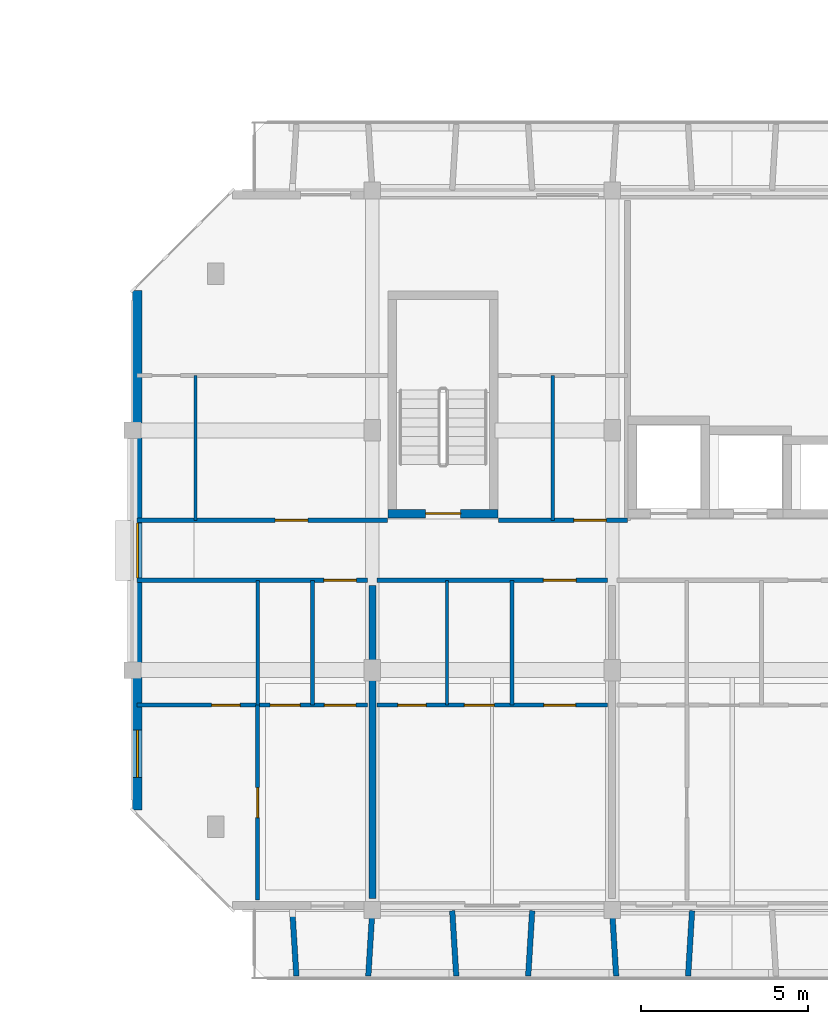
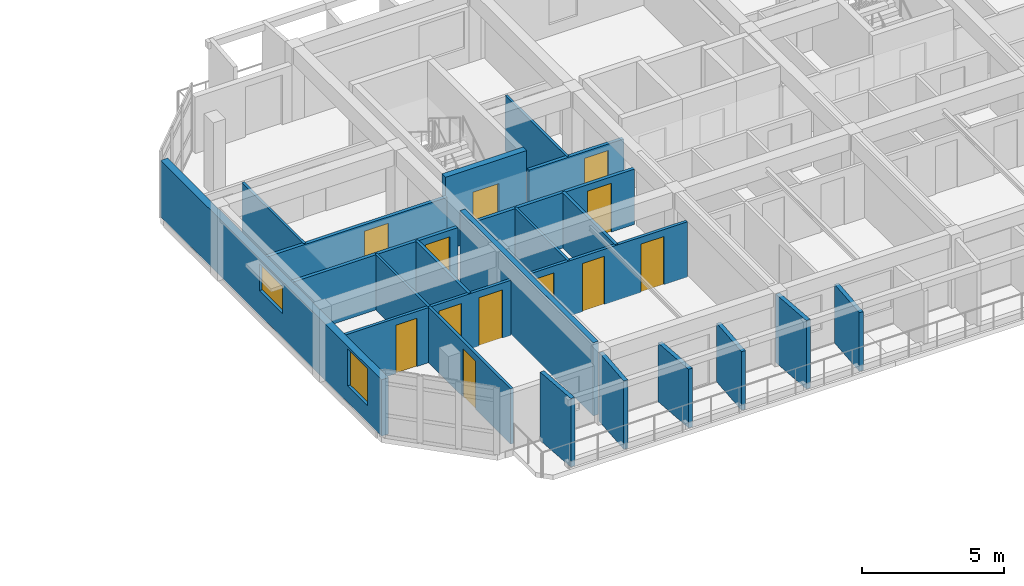
# One storey, part 22 of 40: 22 walls, 12 doors, 2 windows, 14 openings.
"""IFC4 building model written with IfcOpenShell, lengths in metres."""

from ifc_helpers import new_model, si_unit, direction, frame, frame_2d, origin, place, context, subcontext, project, spatial, rectangle, extrude, material, layer, layer_set, type_object, element, fill, save


model = new_model("IFC4")

# Units and contexts
model_context = context("Model", 3, precision=1e-05, world=origin(), true_north=direction((0.0, 1.0)))
body_context = subcontext(model_context, "Body", "Model", "MODEL_VIEW")
ifc_project = project(units=[si_unit("LENGTHUNIT", "METRE"), si_unit("AREAUNIT", "SQUARE_METRE"), si_unit("VOLUMEUNIT", "CUBIC_METRE"), si_unit("PLANEANGLEUNIT", "RADIAN"), si_unit("MASSUNIT", "GRAM", prefix="KILO")], contexts=[model_context])

# Site, building, storey
site_placement = place(None, origin())
site = spatial("IfcSite", under=ifc_project, at=site_placement, CompositionType="ELEMENT")
building_placement = place(site_placement, origin())
building = spatial("IfcBuilding", under=site, at=building_placement, Name="Ochrevale Crest", CompositionType="ELEMENT")
storey_placement = place(building_placement, frame((0.0, 0.0, 27.60009765625)))
storey = spatial("IfcBuildingStorey", under=building, at=storey_placement, Name="L08", CompositionType="ELEMENT", Elevation=27.60009765625)

# Wall, opening, door
ifc_material_1 = material(Name="Gypsum plasterboard", Category="gypsum")
ifc_layer_1 = layer(ifc_material_1, 0.139892578125)
ifc_layer_set_1 = layer_set([ifc_layer_1], Name="Gypsum plasterboard")
wall_type_1 = type_object("IfcWallType", Name="WL-COR-140", PredefinedType="PARTITIONING", material=ifc_layer_set_1)
wall_1_placement = place(storey_placement, frame((129.739990234375, 24.300048828125, 0.0), z_axis=(0.0, 0.0, 1.0), x_axis=(1.0, 0.0, 0.0)))
wall_1 = element("IfcWall", 1, at=wall_1_placement, inside=storey, type_object=wall_type_1, Name="Apartment C-L08-U1 corridor wall", PredefinedType="PARTITIONING", context=body_context, shape_type="SweptSolid", body=[
    extrude(rectangle(XDim=6.919921875, YDim=0.139892578125, at=frame_2d((3.4599609375, 0.0))), origin(), (0.0, 0.0, 1.0), 2.3798828125),
])
opening_1_placement = place(wall_1_placement, frame((5.60498046875, 0.0, 0.0)))
opening_1 = element("IfcOpeningElement", 2, at=opening_1_placement, cuts=wall_1, Name="Opening FD01", PredefinedType="OPENING", context=body_context, shape_type="SweptSolid", body=[
    extrude(rectangle(XDim=0.97998046875, YDim=2.10009765625, at=frame_2d((0.489990234375, 1.050048828125))), frame((0.0, 0.080078125, 0.0), z_axis=(0.0, -1.0, 0.0), x_axis=(1.0, 0.0, 0.0)), (0.0, 0.0, 1.0), 0.159912109375),
])
ifc_material_2 = material(Name="Solid-core FSC hardwood", Category="wood")
door_type_1 = type_object("IfcDoorType", Name="DR-APT-950", OperationType="NOTDEFINED", PredefinedType="DOOR", material=ifc_material_2)
door_1_placement = place(opening_1_placement, origin())
door_1 = element("IfcDoor", 3, at=door_1_placement, inside=storey, type_object=door_type_1, Name="Apartment C-L08-U1 entrance door", OperationType="SINGLE_SWING_LEFT", OverallHeight=2.10009765625, OverallWidth=0.97998046875, PredefinedType="DOOR", context=body_context, shape_type="SweptSolid", body=[
    extrude(rectangle(XDim=0.97998046875, YDim=2.10009765625, at=frame_2d((0.489990234375, 1.050048828125))), frame((0.0, 0.02490234375, 0.0), z_axis=(0.0, -1.0, 0.0), x_axis=(1.0, 0.0, 0.0)), (0.0, 0.0, 1.0), 0.050048828125),
])
fill(opening_1, door_1)

wall_2_placement = place(storey_placement, frame((136.93994140625, 24.300048828125, 0.0), z_axis=(0.0, 0.0, 1.0), x_axis=(1.0, 0.0, 0.0)))
wall_2 = element("IfcWall", 4, at=wall_2_placement, inside=storey, type_object=wall_type_1, Name="Apartment C-L08-U2 corridor wall", PredefinedType="PARTITIONING", context=body_context, shape_type="SweptSolid", body=[
    extrude(rectangle(XDim=6.920166015625, YDim=0.139892578125, at=frame_2d((3.4599609375, 0.0))), origin(), (0.0, 0.0, 1.0), 2.3798828125),
])
opening_2_placement = place(wall_2_placement, frame((5.97509765625, 0.0, 0.0), z_axis=(0.0, 0.0, 1.0), x_axis=(-1.0, 0.0, 0.0)))
opening_2 = element("IfcOpeningElement", 5, at=opening_2_placement, cuts=wall_2, Name="Opening FD01", PredefinedType="OPENING", context=body_context, shape_type="SweptSolid", body=[
    extrude(rectangle(XDim=0.97998046875, YDim=2.10009765625, at=frame_2d((0.489990234375, 1.050048828125))), frame((0.0, 0.080078125, 0.0), z_axis=(0.0, -1.0, 0.0), x_axis=(1.0, 0.0, 0.0)), (0.0, 0.0, 1.0), 0.159912109375),
])
door_2_placement = place(opening_2_placement, origin())
door_2 = element("IfcDoor", 6, at=door_2_placement, inside=storey, type_object=door_type_1, Name="Apartment C-L08-U2 entrance door", OperationType="SINGLE_SWING_RIGHT", OverallHeight=2.10009765625, OverallWidth=0.97998046875, PredefinedType="DOOR", context=body_context, shape_type="SweptSolid", body=[
    extrude(rectangle(XDim=0.97998046875, YDim=2.10009765625, at=frame_2d((0.489990234375, 1.050048828125))), frame((0.0, 0.02490234375, 0.0), z_axis=(0.0, -1.0, 0.0), x_axis=(1.0, 0.0, 0.0)), (0.0, 0.0, 1.0), 0.050048828125),
])
fill(opening_2, door_2)

wall_3_placement = place(storey_placement, frame((129.739990234375, 26.10009765625, 0.0), z_axis=(0.0, 0.0, 1.0), x_axis=(1.0, 0.0, 0.0)))
wall_3 = element("IfcWall", 7, at=wall_3_placement, inside=storey, type_object=wall_type_1, Name="Suite C-L08-CW corridor wall", PredefinedType="PARTITIONING", context=body_context, shape_type="SweptSolid", body=[
    extrude(rectangle(XDim=7.52001953125, YDim=0.139892578125, at=frame_2d((3.760009765625, 0.0))), origin(), (0.0, 0.0, 1.0), 2.3798828125),
])
opening_3_placement = place(wall_3_placement, frame((4.14501953125, 0.0, 0.0)))
opening_3 = element("IfcOpeningElement", 8, at=opening_3_placement, cuts=wall_3, Name="Opening FD01", PredefinedType="OPENING", context=body_context, shape_type="SweptSolid", body=[
    extrude(rectangle(XDim=0.97998046875, YDim=2.10009765625, at=frame_2d((0.489990234375, 1.050048828125))), frame((0.0, 0.080078125, 0.0), z_axis=(0.0, -1.0, 0.0), x_axis=(1.0, 0.0, 0.0)), (0.0, 0.0, 1.0), 0.159912109375),
])
door_3_placement = place(opening_3_placement, origin())
door_3 = element("IfcDoor", 9, at=door_3_placement, inside=storey, type_object=door_type_1, Name="Suite C-L08-CW entrance door", OperationType="SINGLE_SWING_LEFT", OverallHeight=2.10009765625, OverallWidth=0.97998046875, PredefinedType="DOOR", context=body_context, shape_type="SweptSolid", body=[
    extrude(rectangle(XDim=0.97998046875, YDim=2.10009765625, at=frame_2d((0.489990234375, 1.050048828125))), frame((0.0, 0.02490234375, 0.0), z_axis=(0.0, -1.0, 0.0), x_axis=(1.0, 0.0, 0.0)), (0.0, 0.0, 1.0), 0.050048828125),
])
fill(opening_3, door_3)

wall_4_placement = place(storey_placement, frame((140.590087890625, 26.10009765625, 0.0), z_axis=(0.0, 0.0, 1.0), x_axis=(1.0, 0.0, 0.0)))
wall_4 = element("IfcWall", 10, at=wall_4_placement, inside=storey, type_object=wall_type_1, Name="Suite C-L08-MW corridor wall", PredefinedType="PARTITIONING", context=body_context, shape_type="SweptSolid", body=[
    extrude(rectangle(XDim=3.869873046875, YDim=0.139892578125, at=frame_2d((1.93505859375, 0.0))), origin(), (0.0, 0.0, 1.0), 2.3798828125),
])
opening_4_placement = place(wall_4_placement, frame((3.23779296875, 0.0, 0.0), z_axis=(0.0, 0.0, 1.0), x_axis=(-1.0, 0.0, 0.0)))
opening_4 = element("IfcOpeningElement", 11, at=opening_4_placement, cuts=wall_4, Name="Opening FD01", PredefinedType="OPENING", context=body_context, shape_type="SweptSolid", body=[
    extrude(rectangle(XDim=0.97998046875, YDim=2.10009765625, at=frame_2d((0.489990234375, 1.050048828125))), frame((0.0, 0.080078125, 0.0), z_axis=(0.0, -1.0, 0.0), x_axis=(1.0, 0.0, 0.0)), (0.0, 0.0, 1.0), 0.159912109375),
])
door_4_placement = place(opening_4_placement, origin())
door_4 = element("IfcDoor", 12, at=door_4_placement, inside=storey, type_object=door_type_1, Name="Suite C-L08-MW entrance door", OperationType="SINGLE_SWING_RIGHT", OverallHeight=2.10009765625, OverallWidth=0.97998046875, PredefinedType="DOOR", context=body_context, shape_type="SweptSolid", body=[
    extrude(rectangle(XDim=0.97998046875, YDim=2.10009765625, at=frame_2d((0.489990234375, 1.050048828125))), frame((0.0, 0.02490234375, 0.0), z_axis=(0.0, -1.0, 0.0), x_axis=(1.0, 0.0, 0.0)), (0.0, 0.0, 1.0), 0.050048828125),
])
fill(opening_4, door_4)

ifc_material_3 = material(Name="Precast concrete C50/60", Category="concrete")
ifc_layer_2 = layer(ifc_material_3, 0.2548828125)
ifc_layer_set_2 = layer_set([ifc_layer_2], Name="Precast concrete C50/60")
wall_type_2 = type_object("IfcWallType", Name="WL-CORE-255", PredefinedType="SHEAR", material=ifc_layer_set_2)
wall_5_placement = place(storey_placement, frame((137.2724609375, 26.300048828125, 0.0), z_axis=(0.0, 0.0, 1.0), x_axis=(1.0, 0.0, 0.0)))
wall_5 = element("IfcWall", 13, at=wall_5_placement, inside=storey, type_object=wall_type_2, Name="Block C L08 Stair 1 precast core shear wall S", PredefinedType="SHEAR", context=body_context, shape_type="SweptSolid", body=[
    extrude(rectangle(XDim=3.304931640625, YDim=0.2548828125, at=frame_2d((1.65234375, 0.0))), origin(), (0.0, 0.0, 1.0), 3.14990234375),
])
opening_5_placement = place(wall_5_placement, frame((2.177490234375, 0.0, 0.0), z_axis=(0.0, 0.0, 1.0), x_axis=(-1.0, 0.0, 0.0)))
opening_5 = element("IfcOpeningElement", 14, at=opening_5_placement, cuts=wall_5, Name="Opening FD03", PredefinedType="OPENING", context=body_context, shape_type="SweptSolid", body=[
    extrude(rectangle(XDim=1.050048828125, YDim=2.1201171875, at=frame_2d((0.52490234375, 1.06005859375))), frame((0.0, 0.137451171875, 0.0), z_axis=(0.0, -1.0, 0.0), x_axis=(1.0, 0.0, 0.0)), (0.0, 0.0, 1.0), 0.27490234375),
])
door_type_2 = type_object("IfcDoorType", Name="DR-ST-1050", OperationType="NOTDEFINED", PredefinedType="DOOR", material=ifc_material_2)
door_5_placement = place(opening_5_placement, origin())
door_5 = element("IfcDoor", 15, at=door_5_placement, inside=storey, type_object=door_type_2, Name="Block C L08 fire stair 1 door", OperationType="SINGLE_SWING_RIGHT", OverallHeight=2.1201171875, OverallWidth=1.050048828125, PredefinedType="DOOR", context=body_context, shape_type="SweptSolid", body=[
    extrude(rectangle(XDim=1.050048828125, YDim=2.1201171875, at=frame_2d((0.52490234375, 1.06005859375))), frame((0.0, 0.02490234375, 0.0), z_axis=(0.0, -1.0, 0.0), x_axis=(1.0, 0.0, 0.0)), (0.0, 0.0, 1.0), 0.050048828125),
])
fill(opening_5, door_5)

# Wall, openings, windows
ifc_material_4 = material(Name="Clay face brickwork", Category="masonry")
ifc_layer_3 = layer(ifc_material_4, 0.2900390625)
ifc_layer_set_3 = layer_set([ifc_layer_3], Name="Clay face brickwork")
wall_type_3 = type_object("IfcWallType", Name="WL-EXT-BRICK-290", PredefinedType="SOLIDWALL", material=ifc_layer_set_3)
wall_6_placement = place(storey_placement, frame((129.7451171875, 33.0, 0.0), z_axis=(0.0, 0.0, 1.0), x_axis=(0.0, -1.0, 0.0)))
wall_6 = element("IfcWall", 16, at=wall_6_placement, inside=storey, type_object=wall_type_3, Name="Block C L08 external facade wall E7", PredefinedType="SOLIDWALL", context=body_context, shape_type="SweptSolid", body=[
    extrude(rectangle(XDim=15.60009765625, YDim=0.2900390625, at=frame_2d((7.800048828125, 0.0))), origin(), (0.0, 0.0, 1.0), 2.429931640625),
])
opening_6_placement = place(wall_6_placement, frame((6.97509765625, 0.0, 1.050048828125)))
opening_6 = element("IfcOpeningElement", 17, at=opening_6_placement, cuts=wall_6, Name="Opening W19", PredefinedType="OPENING", context=body_context, shape_type="SweptSolid", body=[
    extrude(rectangle(XDim=1.64990234375, YDim=1.14990234375, at=frame_2d((0.824951171875, 0.574951171875))), frame((0.0, 0.155029296875, 0.0), z_axis=(0.0, -1.0, 0.0), x_axis=(1.0, 0.0, 0.0)), (0.0, 0.0, 1.0), 0.31005859375),
])
opening_7_placement = place(wall_6_placement, frame((13.199951171875, 0.0, 0.719970703125)))
opening_7 = element("IfcOpeningElement", 18, at=opening_7_placement, cuts=wall_6, Name="Opening W31", PredefinedType="OPENING", context=body_context, shape_type="SweptSolid", body=[
    extrude(rectangle(XDim=1.419921875, YDim=1.60009765625, at=frame_2d((0.7099609375, 0.800048828125))), frame((0.0, 0.155029296875, 0.0), z_axis=(0.0, -1.0, 0.0), x_axis=(1.0, 0.0, 0.0)), (0.0, 0.0, 1.0), 0.31005859375),
])
ifc_material_5 = material(Name="Anodised aluminium 6063-T5 and low-E double glazing", Category="aluminium")
window_type_1 = type_object("IfcWindowType", Name="WIN-W19", PartitioningType="SINGLE_PANEL", PredefinedType="WINDOW", material=ifc_material_5)
window_1_placement = place(opening_6_placement, origin())
window_1 = element("IfcWindow", 19, at=window_1_placement, inside=storey, type_object=window_type_1, Name="Block C L08 corridor end daylight window W", OverallHeight=1.14990234375, OverallWidth=1.64990234375, PartitioningType="SINGLE_PANEL", PredefinedType="WINDOW", context=body_context, shape_type="SweptSolid", body=[
    extrude(rectangle(XDim=1.64990234375, YDim=1.14990234375, at=frame_2d((0.824951171875, 0.574951171875))), frame((0.0, 0.030029296875, 0.0), z_axis=(0.0, -1.0, 0.0), x_axis=(1.0, 0.0, 0.0)), (0.0, 0.0, 1.0), 0.06005859375),
])
fill(opening_6, window_1)
window_type_2 = type_object("IfcWindowType", Name="WIN-W31", PartitioningType="SINGLE_PANEL", PredefinedType="WINDOW", material=ifc_material_5)
window_2_placement = place(opening_7_placement, origin())
window_2 = element("IfcWindow", 20, at=window_2_placement, inside=storey, type_object=window_type_2, Name="Block C L08 side suite window W", OverallHeight=1.60009765625, OverallWidth=1.419921875, PartitioningType="SINGLE_PANEL", PredefinedType="WINDOW", context=body_context, shape_type="SweptSolid", body=[
    extrude(rectangle(XDim=1.419921875, YDim=1.60009765625, at=frame_2d((0.7099609375, 0.800048828125))), frame((0.0, 0.030029296875, 0.0), z_axis=(0.0, -1.0, 0.0), x_axis=(1.0, 0.0, 0.0)), (0.0, 0.0, 1.0), 0.06005859375),
])
fill(opening_7, window_2)

# Walls
ifc_material_6 = material(Name="Precast concrete C40/50", Category="concrete")
ifc_layer_4 = layer(ifc_material_6, 0.1650390625)
ifc_layer_set_4 = layer_set([ifc_layer_4], Name="Precast concrete C40/50")
wall_type_4 = type_object("IfcWallType", Name="WL-HC-CHEEK-165", PredefinedType="ELEMENTEDWALL", material=ifc_layer_set_4)
for number, where, z_axis, x_axis, name in (
    (21, (134.39990234375, 14.3798828125, 0.0), (0.0, 0.0, 1.0), (0.061170732449, -0.998127317276, 0.0), "Block C L08 S precast honeycomb cheek 1"),
    (22, (136.800048828125, 14.3798828125, 0.0), (0.0, 0.0, 1.0), (-0.061170732449, -0.998127317276, 0.0), "Block C L08 S precast honeycomb cheek 2"),
):
    element("IfcWall", number, at=place(storey_placement, frame(where, z_axis=z_axis, x_axis=x_axis)), inside=storey, type_object=wall_type_4, Name=name, PredefinedType="ELEMENTEDWALL", context=body_context, shape_type="SweptSolid", body=[
        extrude(rectangle(XDim=1.963623046875, YDim=0.1650390625, at=frame_2d((0.98193359375, 0.0))), origin(), (0.0, 0.0, 1.0), 2.949951171875),
    ])
for number, where, z_axis, x_axis, name in (
    (23, (139.199951171875, 14.3798828125, 0.0), (0.0, 0.0, 1.0), (0.061170732449, -0.998127317276, 0.0), "Block C L08 S precast honeycomb cheek 3"),
    (24, (141.60009765625, 14.3798828125, 0.0), (0.0, 0.0, 1.0), (-0.061170732449, -0.998127317276, 0.0), "Block C L08 S precast honeycomb cheek 4"),
):
    element("IfcWall", number, at=place(storey_placement, frame(where, z_axis=z_axis, x_axis=x_axis)), inside=storey, type_object=wall_type_4, Name=name, PredefinedType="ELEMENTEDWALL", context=body_context, shape_type="SweptSolid", body=[
        extrude(rectangle(XDim=1.963623046875, YDim=0.1650390625, at=frame_2d((0.98193359375, 0.0))), origin(), (0.0, 0.0, 1.0), 2.52978515625),
    ])
wall_7_placement = place(storey_placement, frame((144.0, 14.3798828125, 0.0), z_axis=(0.0, 0.0, 1.0), x_axis=(0.061170732449, -0.998127317276, 0.0)))
element("IfcWall", 25, at=wall_7_placement, inside=storey, type_object=wall_type_4, Name="Block C L08 S precast honeycomb cheek 5", PredefinedType="ELEMENTEDWALL", context=body_context, shape_type="SweptSolid", body=[
    extrude(rectangle(XDim=1.963623046875, YDim=0.1650390625, at=frame_2d((0.98193359375, 0.0))), origin(), (0.0, 0.0, 1.0), 2.949951171875),
])
wall_8_placement = place(storey_placement, frame((146.39990234375, 14.3798828125, 0.0), z_axis=(0.0, 0.0, 1.0), x_axis=(-0.061046865508, -0.998134900808, 0.0)))
element("IfcWall", 26, at=wall_8_placement, inside=storey, type_object=wall_type_4, Name="Block C L08 S precast honeycomb cheek 6", PredefinedType="ELEMENTEDWALL", context=body_context, shape_type="SweptSolid", body=[
    extrude(rectangle(XDim=1.963623046875, YDim=0.1650390625, at=frame_2d((0.98193359375, 0.0))), origin(), (0.0, 0.0, 1.0), 2.52978515625),
])
ifc_layer_5 = layer(ifc_material_1, 0.1201171875)
ifc_layer_set_5 = layer_set([ifc_layer_5], Name="Gypsum plasterboard")
wall_type_5 = type_object("IfcWallType", Name="WL-PART-120", PredefinedType="PARTITIONING", material=ifc_layer_set_5)
wall_9_placement = place(storey_placement, frame((135.010009765625, 20.550048828125, 0.0), z_axis=(0.0, 0.0, 1.0), x_axis=(0.0, 1.0, 0.0)))
element("IfcWall", 27, at=wall_9_placement, inside=storey, type_object=wall_type_5, Name="Apartment C-L08-U1 kitchen-foyer wall", PredefinedType="PARTITIONING", context=body_context, shape_type="SweptSolid", body=[
    extrude(rectangle(XDim=3.75, YDim=0.1201171875, at=frame_2d((1.875, 0.0))), origin(), (0.0, 0.0, 1.0), 2.3798828125),
])

# Wall, openings, doors
wall_10_placement = place(storey_placement, frame((129.739990234375, 20.550048828125, 0.0), z_axis=(0.0, 0.0, 1.0), x_axis=(1.0, 0.0, 0.0)))
wall_10 = element("IfcWall", 28, at=wall_10_placement, inside=storey, type_object=wall_type_5, Name="Apartment C-L08-U1 central partition", PredefinedType="PARTITIONING", context=body_context, shape_type="SweptSolid", body=[
    extrude(rectangle(XDim=6.919921875, YDim=0.1201171875, at=frame_2d((3.4599609375, 0.0))), origin(), (0.0, 0.0, 1.0), 2.3798828125),
])
opening_8_placement = place(wall_10_placement, frame((3.090087890625, 0.0, 0.0), z_axis=(0.0, 0.0, 1.0), x_axis=(-1.0, 0.0, 0.0)))
opening_8 = element("IfcOpeningElement", 29, at=opening_8_placement, cuts=wall_10, Name="Opening ID01", PredefinedType="OPENING", context=body_context, shape_type="SweptSolid", body=[
    extrude(rectangle(XDim=0.85009765625, YDim=2.080078125, at=frame_2d((0.425048828125, 1.0400390625))), frame((0.0, 0.070068359375, 0.0), z_axis=(0.0, -1.0, 0.0), x_axis=(1.0, 0.0, 0.0)), (0.0, 0.0, 1.0), 0.14013671875),
])
opening_9_placement = place(wall_10_placement, frame((3.9951171875, 0.0, 0.0)))
opening_9 = element("IfcOpeningElement", 30, at=opening_9_placement, cuts=wall_10, Name="Opening ID02", PredefinedType="OPENING", context=body_context, shape_type="SweptSolid", body=[
    extrude(rectangle(XDim=0.89990234375, YDim=2.080078125, at=frame_2d((0.449951171875, 1.0400390625))), frame((0.0, 0.070068359375, 0.0), z_axis=(0.0, -1.0, 0.0), x_axis=(1.0, 0.0, 0.0)), (0.0, 0.0, 1.0), 0.14013671875),
])
opening_10_placement = place(wall_10_placement, frame((6.570068359375, 0.0, 0.0), z_axis=(0.0, 0.0, 1.0), x_axis=(-1.0, 0.0, 0.0)))
opening_10 = element("IfcOpeningElement", 31, at=opening_10_placement, cuts=wall_10, Name="Opening ID06", PredefinedType="OPENING", context=body_context, shape_type="SweptSolid", body=[
    extrude(rectangle(XDim=0.949951171875, YDim=2.080078125, at=frame_2d((0.47509765625, 1.0400390625))), frame((0.0, 0.070068359375, 0.0), z_axis=(0.0, -1.0, 0.0), x_axis=(1.0, 0.0, 0.0)), (0.0, 0.0, 1.0), 0.14013671875),
])
door_type_3 = type_object("IfcDoorType", Name="DR-INT-900", OperationType="NOTDEFINED", PredefinedType="DOOR", material=ifc_material_2)
door_6_placement = place(opening_9_placement, origin())
door_6 = element("IfcDoor", 32, at=door_6_placement, inside=storey, type_object=door_type_3, Name="Apartment C-L08-U1 Kitchen door", OperationType="SINGLE_SWING_LEFT", OverallHeight=2.080078125, OverallWidth=0.89990234375, PredefinedType="DOOR", context=body_context, shape_type="SweptSolid", body=[
    extrude(rectangle(XDim=0.89990234375, YDim=2.080078125, at=frame_2d((0.449951171875, 1.0400390625))), frame((0.0, 0.02490234375, 0.0), z_axis=(0.0, -1.0, 0.0), x_axis=(1.0, 0.0, 0.0)), (0.0, 0.0, 1.0), 0.050048828125),
])
fill(opening_9, door_6)
door_type_4 = type_object("IfcDoorType", Name="DR-INT-950", OperationType="NOTDEFINED", PredefinedType="DOOR", material=ifc_material_2)
door_7_placement = place(opening_10_placement, origin())
door_7 = element("IfcDoor", 33, at=door_7_placement, inside=storey, type_object=door_type_4, Name="Apartment C-L08-U1 Living Foyer door", OperationType="SINGLE_SWING_RIGHT", OverallHeight=2.080078125, OverallWidth=0.949951171875, PredefinedType="DOOR", context=body_context, shape_type="SweptSolid", body=[
    extrude(rectangle(XDim=0.949951171875, YDim=2.080078125, at=frame_2d((0.47509765625, 1.0400390625))), frame((0.0, 0.02490234375, 0.0), z_axis=(0.0, -1.0, 0.0), x_axis=(1.0, 0.0, 0.0)), (0.0, 0.0, 1.0), 0.050048828125),
])
fill(opening_10, door_7)
door_type_5 = type_object("IfcDoorType", Name="DR-WC-850", OperationType="NOTDEFINED", PredefinedType="DOOR", material=ifc_material_2)
door_8_placement = place(opening_8_placement, origin())
door_8 = element("IfcDoor", 34, at=door_8_placement, inside=storey, type_object=door_type_5, Name="Apartment C-L08-U1 Bathroom door", OperationType="SINGLE_SWING_RIGHT", OverallHeight=2.080078125, OverallWidth=0.85009765625, PredefinedType="DOOR", context=body_context, shape_type="SweptSolid", body=[
    extrude(rectangle(XDim=0.85009765625, YDim=2.080078125, at=frame_2d((0.425048828125, 1.0400390625))), frame((0.0, 0.02490234375, 0.0), z_axis=(0.0, -1.0, 0.0), x_axis=(1.0, 0.0, 0.0)), (0.0, 0.0, 1.0), 0.050048828125),
])
fill(opening_8, door_8)

# Wall, opening, door
wall_11_placement = place(storey_placement, frame((133.360107421875, 14.699951171875, 0.0), z_axis=(0.0, 0.0, 1.0), x_axis=(0.0, 1.0, 0.0)))
wall_11 = element("IfcWall", 35, at=wall_11_placement, inside=storey, type_object=wall_type_5, Name="Apartment C-L08-U1 bedroom partition", PredefinedType="PARTITIONING", context=body_context, shape_type="SweptSolid", body=[
    extrude(rectangle(XDim=5.85009765625, YDim=0.1201171875, at=frame_2d((2.925048828125, 0.0))), origin(), (0.0, 0.0, 1.0), 2.3798828125),
])
opening_11_placement = place(wall_11_placement, frame((2.47509765625, 0.0, 0.0)))
opening_11 = element("IfcOpeningElement", 36, at=opening_11_placement, cuts=wall_11, Name="Opening ID02", PredefinedType="OPENING", context=body_context, shape_type="SweptSolid", body=[
    extrude(rectangle(XDim=0.89990234375, YDim=2.080078125, at=frame_2d((0.449951171875, 1.0400390625))), frame((0.0, 0.070068359375, 0.0), z_axis=(0.0, -1.0, 0.0), x_axis=(1.0, 0.0, 0.0)), (0.0, 0.0, 1.0), 0.14013671875),
])
door_9_placement = place(opening_11_placement, origin())
door_9 = element("IfcDoor", 37, at=door_9_placement, inside=storey, type_object=door_type_3, Name="Apartment C-L08-U1 Twin Bedroom door", OperationType="SINGLE_SWING_LEFT", OverallHeight=2.080078125, OverallWidth=0.89990234375, PredefinedType="DOOR", context=body_context, shape_type="SweptSolid", body=[
    extrude(rectangle(XDim=0.89990234375, YDim=2.080078125, at=frame_2d((0.449951171875, 1.0400390625))), frame((0.0, 0.02490234375, 0.0), z_axis=(0.0, -1.0, 0.0), x_axis=(1.0, 0.0, 0.0)), (0.0, 0.0, 1.0), 0.050048828125),
])
fill(opening_11, door_9)

# Wall
wall_12_placement = place(storey_placement, frame((140.989990234375, 20.550048828125, 0.0), z_axis=(0.0, 0.0, 1.0), x_axis=(0.0, 1.0, 0.0)))
element("IfcWall", 38, at=wall_12_placement, inside=storey, type_object=wall_type_5, Name="Apartment C-L08-U2 kitchen-foyer wall", PredefinedType="PARTITIONING", context=body_context, shape_type="SweptSolid", body=[
    extrude(rectangle(XDim=3.75, YDim=0.1201171875, at=frame_2d((1.875, 0.0))), origin(), (0.0, 0.0, 1.0), 2.3798828125),
])

# Wall, openings, doors
wall_13_placement = place(storey_placement, frame((136.93994140625, 20.550048828125, 0.0), z_axis=(0.0, 0.0, 1.0), x_axis=(1.0, 0.0, 0.0)))
wall_13 = element("IfcWall", 39, at=wall_13_placement, inside=storey, type_object=wall_type_5, Name="Apartment C-L08-U2 central partition", PredefinedType="PARTITIONING", context=body_context, shape_type="SweptSolid", body=[
    extrude(rectangle(XDim=6.920166015625, YDim=0.1201171875, at=frame_2d((3.4599609375, 0.0))), origin(), (0.0, 0.0, 1.0), 2.3798828125),
])
opening_12_placement = place(wall_13_placement, frame((0.625, 0.0, 0.0)))
opening_12 = element("IfcOpeningElement", 40, at=opening_12_placement, cuts=wall_13, Name="Opening ID01", PredefinedType="OPENING", context=body_context, shape_type="SweptSolid", body=[
    extrude(rectangle(XDim=0.85009765625, YDim=2.080078125, at=frame_2d((0.425048828125, 1.0400390625))), frame((0.0, 0.070068359375, 0.0), z_axis=(0.0, -1.0, 0.0), x_axis=(1.0, 0.0, 0.0)), (0.0, 0.0, 1.0), 0.14013671875),
])
opening_13_placement = place(wall_13_placement, frame((3.52490234375, 0.0, 0.0), z_axis=(0.0, 0.0, 1.0), x_axis=(-1.0, 0.0, 0.0)))
opening_13 = element("IfcOpeningElement", 41, at=opening_13_placement, cuts=wall_13, Name="Opening ID02", PredefinedType="OPENING", context=body_context, shape_type="SweptSolid", body=[
    extrude(rectangle(XDim=0.89990234375, YDim=2.080078125, at=frame_2d((0.449951171875, 1.0400390625))), frame((0.0, 0.070068359375, 0.0), z_axis=(0.0, -1.0, 0.0), x_axis=(1.0, 0.0, 0.0)), (0.0, 0.0, 1.0), 0.14013671875),
])
opening_14_placement = place(wall_13_placement, frame((5.010009765625, 0.0, 0.0)))
opening_14 = element("IfcOpeningElement", 42, at=opening_14_placement, cuts=wall_13, Name="Opening ID06", PredefinedType="OPENING", context=body_context, shape_type="SweptSolid", body=[
    extrude(rectangle(XDim=0.949951171875, YDim=2.080078125, at=frame_2d((0.47509765625, 1.0400390625))), frame((0.0, 0.070068359375, 0.0), z_axis=(0.0, -1.0, 0.0), x_axis=(1.0, 0.0, 0.0)), (0.0, 0.0, 1.0), 0.14013671875),
])
door_10_placement = place(opening_13_placement, origin())
door_10 = element("IfcDoor", 43, at=door_10_placement, inside=storey, type_object=door_type_3, Name="Apartment C-L08-U2 Kitchen door", OperationType="SINGLE_SWING_RIGHT", OverallHeight=2.080078125, OverallWidth=0.89990234375, PredefinedType="DOOR", context=body_context, shape_type="SweptSolid", body=[
    extrude(rectangle(XDim=0.89990234375, YDim=2.080078125, at=frame_2d((0.449951171875, 1.0400390625))), frame((0.0, 0.02490234375, 0.0), z_axis=(0.0, -1.0, 0.0), x_axis=(1.0, 0.0, 0.0)), (0.0, 0.0, 1.0), 0.050048828125),
])
fill(opening_13, door_10)
door_11_placement = place(opening_14_placement, origin())
door_11 = element("IfcDoor", 44, at=door_11_placement, inside=storey, type_object=door_type_4, Name="Apartment C-L08-U2 Living Foyer door", OperationType="SINGLE_SWING_LEFT", OverallHeight=2.080078125, OverallWidth=0.949951171875, PredefinedType="DOOR", context=body_context, shape_type="SweptSolid", body=[
    extrude(rectangle(XDim=0.949951171875, YDim=2.080078125, at=frame_2d((0.47509765625, 1.0400390625))), frame((0.0, 0.02490234375, 0.0), z_axis=(0.0, -1.0, 0.0), x_axis=(1.0, 0.0, 0.0)), (0.0, 0.0, 1.0), 0.050048828125),
])
fill(opening_14, door_11)
door_12_placement = place(opening_12_placement, origin())
door_12 = element("IfcDoor", 45, at=door_12_placement, inside=storey, type_object=door_type_5, Name="Apartment C-L08-U2 Bathroom door", OperationType="SINGLE_SWING_LEFT", OverallHeight=2.080078125, OverallWidth=0.85009765625, PredefinedType="DOOR", context=body_context, shape_type="SweptSolid", body=[
    extrude(rectangle(XDim=0.85009765625, YDim=2.080078125, at=frame_2d((0.425048828125, 1.0400390625))), frame((0.0, 0.02490234375, 0.0), z_axis=(0.0, -1.0, 0.0), x_axis=(1.0, 0.0, 0.0)), (0.0, 0.0, 1.0), 0.050048828125),
])
fill(opening_12, door_12)

# Walls
ifc_layer_6 = layer(ifc_material_6, 0.2099609375)
ifc_layer_set_6 = layer_set([ifc_layer_6], Name="Precast concrete C40/50")
wall_type_6 = type_object("IfcWallType", Name="WL-SHEAR-210", PredefinedType="SHEAR", material=ifc_layer_set_6)
wall_14_placement = place(storey_placement, frame((136.800048828125, 14.75, 0.0), z_axis=(0.0, 0.0, 1.0), x_axis=(0.0, 1.0, 0.0)))
element("IfcWall", 46, at=wall_14_placement, inside=storey, type_object=wall_type_6, Name="Block C L08 load-bearing precast cross-wall X=136.8", PredefinedType="SHEAR", context=body_context, shape_type="SweptSolid", body=[
    extrude(rectangle(XDim=9.39990234375, YDim=0.2099609375, at=frame_2d((4.699951171875, 0.0))), origin(), (0.0, 0.0, 1.0), 3.14990234375),
])
ifc_layer_7 = layer(ifc_material_1, 0.10009765625)
ifc_layer_set_7 = layer_set([ifc_layer_7], Name="Gypsum plasterboard")
wall_type_7 = type_object("IfcWallType", Name="WL-WET-100", PredefinedType="PARTITIONING", material=ifc_layer_set_7)
for number, where, z_axis, x_axis, name in (
    (47, (133.360107421875, 20.550048828125, 0.0), (0.0, 0.0, 1.0), (0.0, 1.0, 0.0), "Apartment C-L08-U1 bath-kitchen wall"),
    (48, (139.0400390625, 20.550048828125, 0.0), (0.0, 0.0, 1.0), (0.0, 1.0, 0.0), "Apartment C-L08-U2 bath-kitchen wall"),
):
    element("IfcWall", number, at=place(storey_placement, frame(where, z_axis=z_axis, x_axis=x_axis)), inside=storey, type_object=wall_type_7, Name=name, PredefinedType="PARTITIONING", context=body_context, shape_type="SweptSolid", body=[
        extrude(rectangle(XDim=3.75, YDim=0.10009765625, at=frame_2d((1.875, 0.0))), origin(), (0.0, 0.0, 1.0), 2.3798828125),
    ])
for number, where, z_axis, x_axis, name in (
    (49, (131.489990234375, 26.10009765625, 0.0), (0.0, 0.0, 1.0), (0.0, 1.0, 0.0), "Suite C-L08-CW bathroom divider"),
    (50, (142.21533203125, 26.10009765625, 0.0), (0.0, 0.0, 1.0), (0.0, 1.0, 0.0), "Suite C-L08-MW bathroom divider"),
):
    element("IfcWall", number, at=place(storey_placement, frame(where, z_axis=z_axis, x_axis=x_axis)), inside=storey, type_object=wall_type_7, Name=name, PredefinedType="PARTITIONING", context=body_context, shape_type="SweptSolid", body=[
        extrude(rectangle(XDim=4.349853515625, YDim=0.10009765625, at=frame_2d((2.1748046875, 0.0))), origin(), (0.0, 0.0, 1.0), 2.3798828125),
    ])

save(model, "model.ifc")
